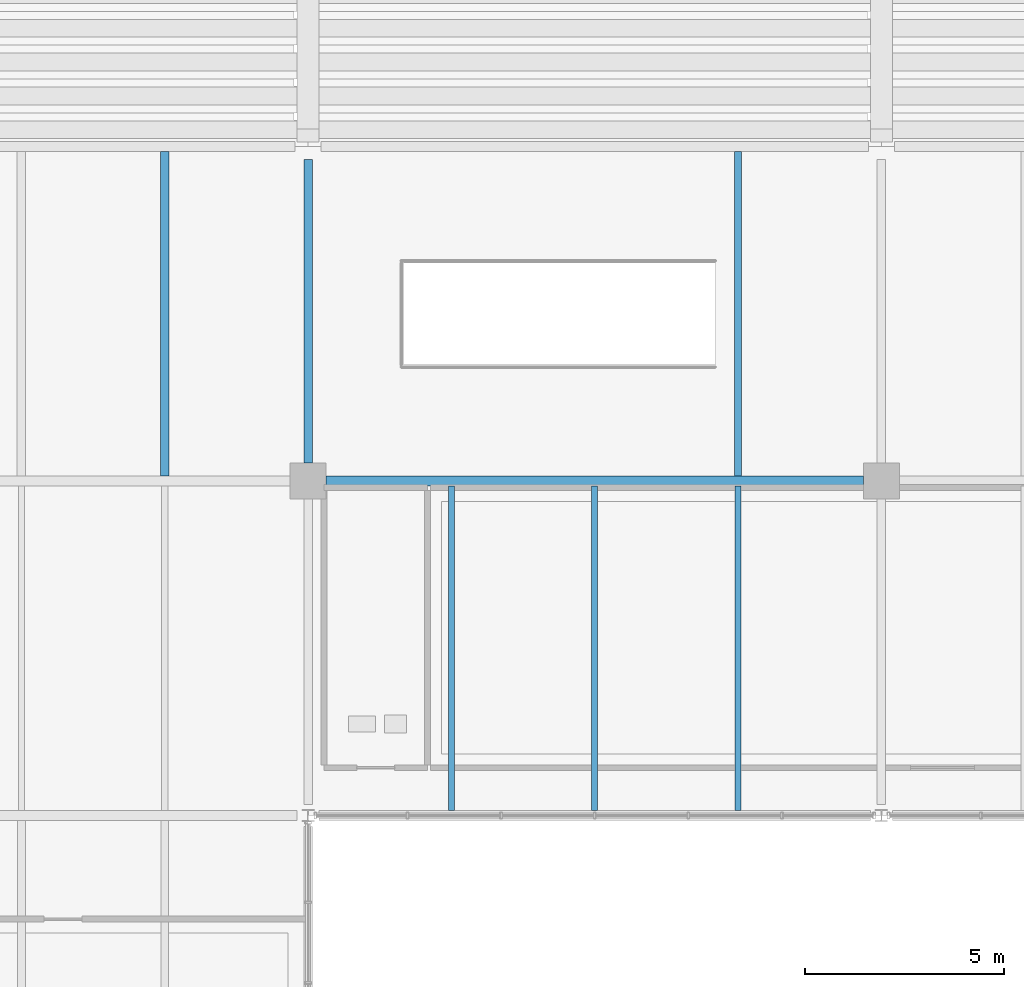
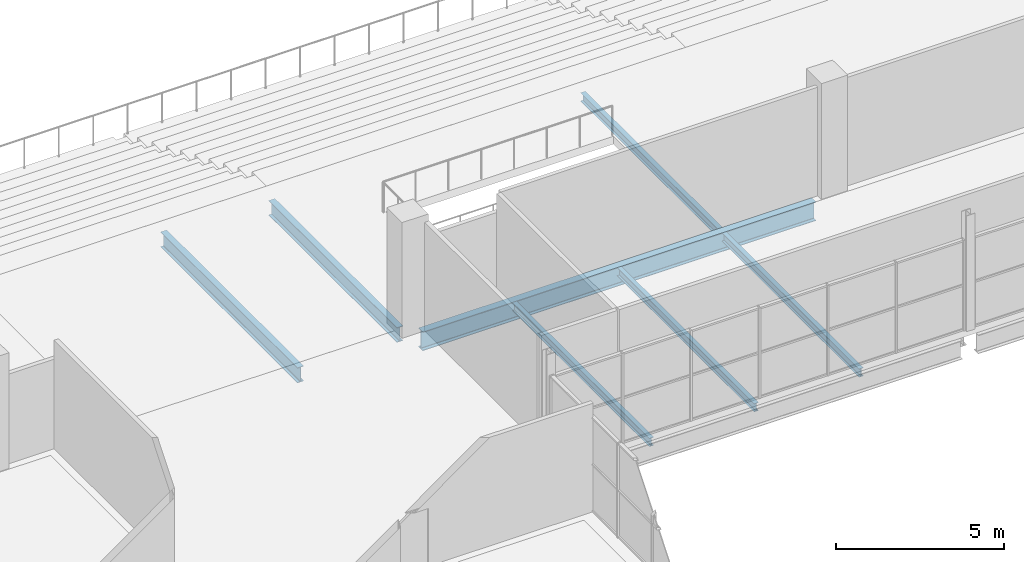
# One storey, part 34 of 161: 7 beams.
"""IFC4 building model written with IfcOpenShell, lengths in metres."""

from ifc_helpers import new_model, si_unit, direction, frame, origin, origin_2d, place, context, subcontext, project, spatial, i_section, extrude, material, material_profile, profile_set, type_object, element, save


model = new_model("IFC4")

# Units and contexts
model_context = context("Model", 3, precision=1e-05, world=origin(), true_north=direction((0.0, 1.0)))
body_context = subcontext(model_context, "Body", "Model", "MODEL_VIEW")
ifc_project = project(units=[si_unit("LENGTHUNIT", "METRE"), si_unit("AREAUNIT", "SQUARE_METRE"), si_unit("VOLUMEUNIT", "CUBIC_METRE"), si_unit("PLANEANGLEUNIT", "RADIAN"), si_unit("MASSUNIT", "GRAM", prefix="KILO"), si_unit("THERMODYNAMICTEMPERATUREUNIT", "KELVIN")], contexts=[model_context])

# Site, building, storey
site_placement = place(None, origin())
site = spatial("IfcSite", under=ifc_project, at=site_placement, CompositionType="ELEMENT")
building_placement = place(site_placement, origin())
building = spatial("IfcBuilding", under=site, at=building_placement, Name="Nduvali Passage Aquatics Centre", CompositionType="ELEMENT")
storey_placement = place(building_placement, frame((0.0, 0.0, 4.800048828125)))
storey = spatial("IfcBuildingStorey", under=building, at=storey_placement, Name="L01", CompositionType="ELEMENT", Elevation=4.800048828125)

# Beams
ifc_material = material(Name="Steel S355", Category="steel")
ifc_material_profile_1 = material_profile(ifc_material, i_section(OverallWidth=0.210693359375, OverallDepth=0.53955078125, WebThickness=0.01171875, FlangeThickness=0.018798828125, FilletRadius=0.0126953125, at=origin_2d()), Name="UKB 533x210x109")
ifc_profile_set_1 = profile_set([ifc_material_profile_1], Name="Steel S355")
beam_type_1 = type_object("IfcBeamType", Name="STR-BM-UKB533", PredefinedType="BEAM", material=ifc_profile_set_1)
beam_1_placement = place(storey_placement, frame((68.39990234375, 25.64990234375, -0.553955078125), z_axis=(0.0, 1.0, 0.0), x_axis=(-1.0, 0.0, 0.0)))
element("IfcBeam", 1, at=beam_1_placement, inside=storey, type_object=beam_type_1, Name="L01 Primary Y-Girder B6-0595", PredefinedType="BEAM", context=body_context, shape_type="SweptSolid", body=[
    extrude(i_section(OverallWidth=0.210693359375, OverallDepth=0.53955078125, WebThickness=0.01171875, FlangeThickness=0.018798828125, FilletRadius=0.0126953125, at=origin_2d()), origin(), (0.0, 0.0, 1.0), 7.625),
])
ifc_material_profile_2 = material_profile(ifc_material, i_section(OverallWidth=0.253662109375, OverallDepth=0.68359375, WebThickness=0.012451171875, FlangeThickness=0.01904296875, FilletRadius=0.01513671875, at=origin_2d()), Name="UKB 686x254x140")
ifc_profile_set_2 = profile_set([ifc_material_profile_2], Name="Steel S355")
beam_type_2 = type_object("IfcBeamType", Name="STR-BM-UKB686-EXT", PredefinedType="BEAM", material=ifc_profile_set_2)
beam_2_placement = place(storey_placement, frame((68.85009765625, 25.199951171875, -0.625732421875), z_axis=(1.0, 0.0, 0.0), x_axis=(0.0, 1.0, 0.0)))
element("IfcBeam", 2, at=beam_2_placement, inside=storey, type_object=beam_type_2, Name="L01 Primary X-Girder B4E-0446", PredefinedType="BEAM", context=body_context, shape_type="SweptSolid", body=[
    extrude(i_section(OverallWidth=0.253662109375, OverallDepth=0.68359375, WebThickness=0.012451171875, FlangeThickness=0.01904296875, FilletRadius=0.01513671875, at=origin_2d()), origin(), (0.0, 0.0, 1.0), 13.5),
])
ifc_material_profile_3 = material_profile(ifc_material, i_section(OverallWidth=0.14990234375, OverallDepth=0.300048828125, WebThickness=0.007080078125, FlangeThickness=0.0107421875, FilletRadius=0.014892578125, at=origin_2d()), Name="IPE 300")
ifc_profile_set_3 = profile_set([ifc_material_profile_3], Name="Steel S355")
beam_type_3 = type_object("IfcBeamType", Name="STR-JST-IPE300", PredefinedType="JOIST", material=ifc_profile_set_3)
for number, where, z_axis, x_axis, name in (
    (3, (72.0, 16.9267578125, -0.43408203125), (0.0, 1.0, 0.0), (-1.0, 0.0, 0.0), "L01 Secondary Joist J7-0716"),
    (4, (75.60009765625, 16.9267578125, -0.43408203125), (0.0, 1.0, 0.0), (-1.0, 0.0, 0.0), "L01 Secondary Joist J7-0717"),
    (5, (79.199951171875, 16.9267578125, -0.43408203125), (0.0, 1.0, 0.0), (-1.0, 0.0, 0.0), "L01 Secondary Joist J7-0718"),
):
    element("IfcBeam", number, at=place(storey_placement, frame(where, z_axis=z_axis, x_axis=x_axis)), inside=storey, type_object=beam_type_3, Name=name, PredefinedType="JOIST", context=body_context, shape_type="SweptSolid", body=[
        extrude(i_section(OverallWidth=0.14990234375, OverallDepth=0.300048828125, WebThickness=0.007080078125, FlangeThickness=0.0107421875, FilletRadius=0.014892578125, at=origin_2d()), origin(), (0.0, 0.0, 1.0), 8.146484375),
    ])
ifc_material_profile_4 = material_profile(ifc_material, i_section(OverallWidth=0.2099609375, OverallDepth=0.550048828125, WebThickness=0.010986328125, FlangeThickness=0.01708984375, FilletRadius=0.02392578125, at=origin_2d()), Name="IPE 550")
ifc_profile_set_4 = profile_set([ifc_material_profile_4], Name="Steel S355")
beam_type_4 = type_object("IfcBeamType", Name="STR-JST-IPE550", PredefinedType="JOIST", material=ifc_profile_set_4)
beam_3_placement = place(storey_placement, frame((64.800048828125, 25.326904296875, -0.55908203125), z_axis=(0.0, 1.0, 0.0), x_axis=(-1.0, 0.0, 0.0)))
element("IfcBeam", 6, at=beam_3_placement, inside=storey, type_object=beam_type_4, Name="L01 Secondary Joist J5C-0732", PredefinedType="JOIST", context=body_context, shape_type="SweptSolid", body=[
    extrude(i_section(OverallWidth=0.2099609375, OverallDepth=0.550048828125, WebThickness=0.010986328125, FlangeThickness=0.01708984375, FilletRadius=0.02392578125, at=origin_2d()), origin(), (0.0, 0.0, 1.0), 8.146240234375),
])
ifc_material_profile_5 = material_profile(ifc_material, i_section(OverallWidth=0.165771484375, OverallDepth=0.306640625, WebThickness=0.006591796875, FlangeThickness=0.01171875, FilletRadius=0.0087890625, at=origin_2d()), Name="UKB 305x165x46")
ifc_profile_set_5 = profile_set([ifc_material_profile_5], Name="Steel S355")
beam_type_5 = type_object("IfcBeamType", Name="STR-JST-UKB305", PredefinedType="JOIST", material=ifc_profile_set_5)
beam_4_placement = place(storey_placement, frame((79.199951171875, 25.326904296875, -0.437255859375), z_axis=(0.0, 1.0, 0.0), x_axis=(-1.0, 0.0, 0.0)))
element("IfcBeam", 7, at=beam_4_placement, inside=storey, type_object=beam_type_5, Name="L01 Secondary Joist J3-0733", PredefinedType="JOIST", context=body_context, shape_type="SweptSolid", body=[
    extrude(i_section(OverallWidth=0.165771484375, OverallDepth=0.306640625, WebThickness=0.006591796875, FlangeThickness=0.01171875, FilletRadius=0.0087890625, at=origin_2d()), origin(), (0.0, 0.0, 1.0), 8.146240234375),
])

save(model, "model.ifc")
